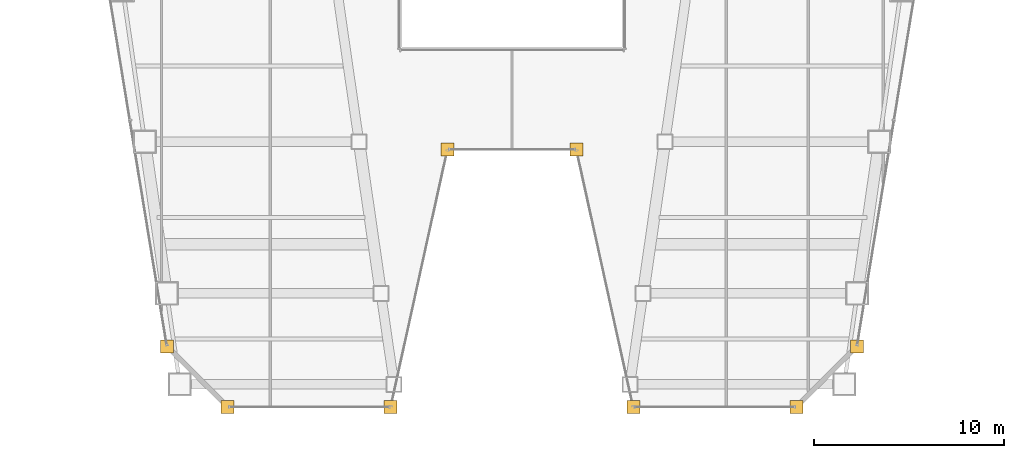
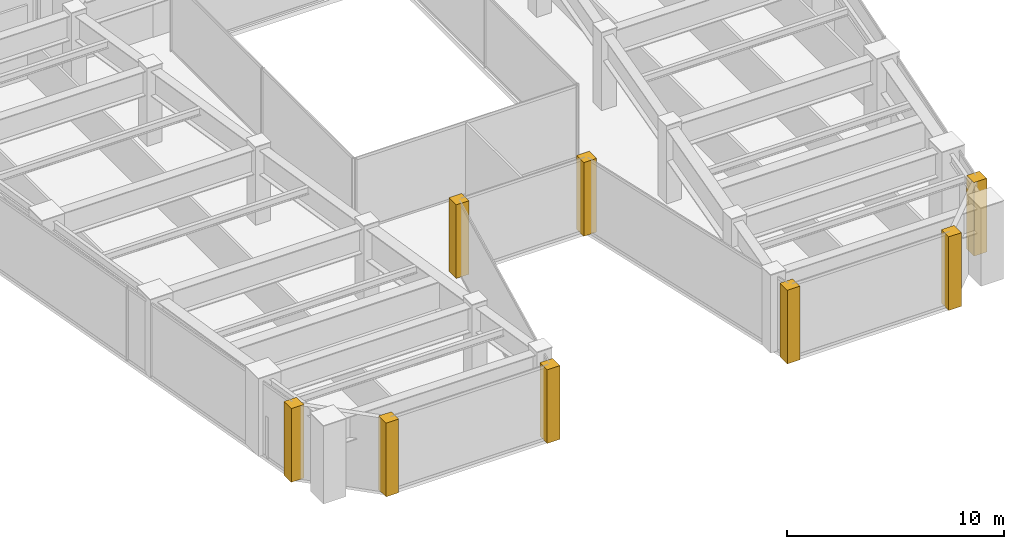
# One storey, part 38 of 40: 8 coverings.
"""IFC4 building model written with IfcOpenShell, lengths in metres."""

from ifc_helpers import new_model, si_unit, direction, frame, origin, place, context, subcontext, project, spatial, polyline, outline, extrude, material, layer, layer_set, type_object, element, save


model = new_model("IFC4")

# Units and contexts
model_context = context("Model", 3, precision=1e-05, world=origin(), true_north=direction((0.0, 1.0)))
body_context = subcontext(model_context, "Body", "Model", "MODEL_VIEW")
ifc_project = project(units=[si_unit("LENGTHUNIT", "METRE"), si_unit("AREAUNIT", "SQUARE_METRE"), si_unit("VOLUMEUNIT", "CUBIC_METRE"), si_unit("PLANEANGLEUNIT", "RADIAN"), si_unit("MASSUNIT", "GRAM", prefix="KILO")], contexts=[model_context])

# Site, building, storey
site_placement = place(None, origin())
site = spatial("IfcSite", under=ifc_project, at=site_placement, CompositionType="ELEMENT")
building_placement = place(site_placement, origin())
building = spatial("IfcBuilding", under=site, at=building_placement, Name="Saevonmaru Cultural Tower", CompositionType="ELEMENT")
storey_placement = place(building_placement, frame((0.0, 0.0, 97.199951171875)))
storey = spatial("IfcBuildingStorey", under=building, at=storey_placement, Name="L20", CompositionType="ELEMENT", Elevation=97.199951171875)

# Coverings
ifc_material = material(Name="Satin Bronze Anodised Aluminium", Category="aluminium")
ifc_layer = layer(ifc_material, 0.679931640625, Name="Satin Bronze Anodised Aluminium")
ifc_layer_set = layer_set([ifc_layer], Name="Satin Bronze Anodised Aluminium")
covering_type = type_object("IfcCoveringType", Name="CV-CORNER-CLAD", PredefinedType="CLADDING", material=ifc_layer_set)
covering_1_placement = place(storey_placement, origin())
element("IfcCovering", 1, at=covering_1_placement, inside=storey, type_object=covering_type, Name="L20 Tower Bronze Corner Cladding Pier 1", PredefinedType="CLADDING", context=body_context, shape_type="SweptSolid", body=[
    extrude(outline(polyline([(11.4599609375, 4.860107421875), (12.139892578125, 4.860107421875), (12.139892578125, 5.5400390625), (11.4599609375, 5.5400390625), (11.4599609375, 4.860107421875)])), origin(), (0.0, 0.0, 1.0), 4.150146484375),
])
covering_2_placement = place(storey_placement, origin())
element("IfcCovering", 2, at=covering_2_placement, inside=storey, type_object=covering_type, Name="L20 Tower Bronze Corner Cladding Pier 2", PredefinedType="CLADDING", context=body_context, shape_type="SweptSolid", body=[
    extrude(outline(polyline([(14.659912109375, 1.659912109375), (15.340087890625, 1.659912109375), (15.340087890625, 2.340087890625), (14.659912109375, 2.340087890625), (14.659912109375, 1.659912109375)])), origin(), (0.0, 0.0, 1.0), 4.150146484375),
])
covering_3_placement = place(storey_placement, origin())
element("IfcCovering", 3, at=covering_3_placement, inside=storey, type_object=covering_type, Name="L20 Tower Bronze Corner Cladding Pier 3", PredefinedType="CLADDING", context=body_context, shape_type="SweptSolid", body=[
    extrude(outline(polyline([(23.260009765625, 1.659912109375), (23.93994140625, 1.659912109375), (23.93994140625, 2.340087890625), (23.260009765625, 2.340087890625), (23.260009765625, 1.659912109375)])), origin(), (0.0, 0.0, 1.0), 4.150146484375),
])
covering_4_placement = place(storey_placement, origin())
element("IfcCovering", 4, at=covering_4_placement, inside=storey, type_object=covering_type, Name="L20 Tower Bronze Corner Cladding Pier 4", PredefinedType="CLADDING", context=body_context, shape_type="SweptSolid", body=[
    extrude(outline(polyline([(26.260009765625, 15.260009765625), (26.93994140625, 15.260009765625), (26.93994140625, 15.93994140625), (26.260009765625, 15.93994140625), (26.260009765625, 15.260009765625)])), origin(), (0.0, 0.0, 1.0), 4.150146484375),
])
covering_5_placement = place(storey_placement, origin())
element("IfcCovering", 5, at=covering_5_placement, inside=storey, type_object=covering_type, Name="L20 Tower Bronze Corner Cladding Pier 5", PredefinedType="CLADDING", context=body_context, shape_type="SweptSolid", body=[
    extrude(outline(polyline([(33.06005859375, 15.260009765625), (33.739990234375, 15.260009765625), (33.739990234375, 15.93994140625), (33.06005859375, 15.93994140625), (33.06005859375, 15.260009765625)])), origin(), (0.0, 0.0, 1.0), 4.150146484375),
])
covering_6_placement = place(storey_placement, origin())
element("IfcCovering", 6, at=covering_6_placement, inside=storey, type_object=covering_type, Name="L20 Tower Bronze Corner Cladding Pier 6", PredefinedType="CLADDING", context=body_context, shape_type="SweptSolid", body=[
    extrude(outline(polyline([(36.06005859375, 1.659912109375), (36.739990234375, 1.659912109375), (36.739990234375, 2.340087890625), (36.06005859375, 2.340087890625), (36.06005859375, 1.659912109375)])), origin(), (0.0, 0.0, 1.0), 4.150146484375),
])
covering_7_placement = place(storey_placement, origin())
element("IfcCovering", 7, at=covering_7_placement, inside=storey, type_object=covering_type, Name="L20 Tower Bronze Corner Cladding Pier 7", PredefinedType="CLADDING", context=body_context, shape_type="SweptSolid", body=[
    extrude(outline(polyline([(44.659912109375, 1.659912109375), (45.340087890625, 1.659912109375), (45.340087890625, 2.340087890625), (44.659912109375, 2.340087890625), (44.659912109375, 1.659912109375)])), origin(), (0.0, 0.0, 1.0), 4.150146484375),
])
covering_8_placement = place(storey_placement, origin())
element("IfcCovering", 8, at=covering_8_placement, inside=storey, type_object=covering_type, Name="L20 Tower Bronze Corner Cladding Pier 8", PredefinedType="CLADDING", context=body_context, shape_type="SweptSolid", body=[
    extrude(outline(polyline([(47.860107421875, 4.860107421875), (48.5400390625, 4.860107421875), (48.5400390625, 5.5400390625), (47.860107421875, 5.5400390625), (47.860107421875, 4.860107421875)])), origin(), (0.0, 0.0, 1.0), 4.150146484375),
])

save(model, "model.ifc")
